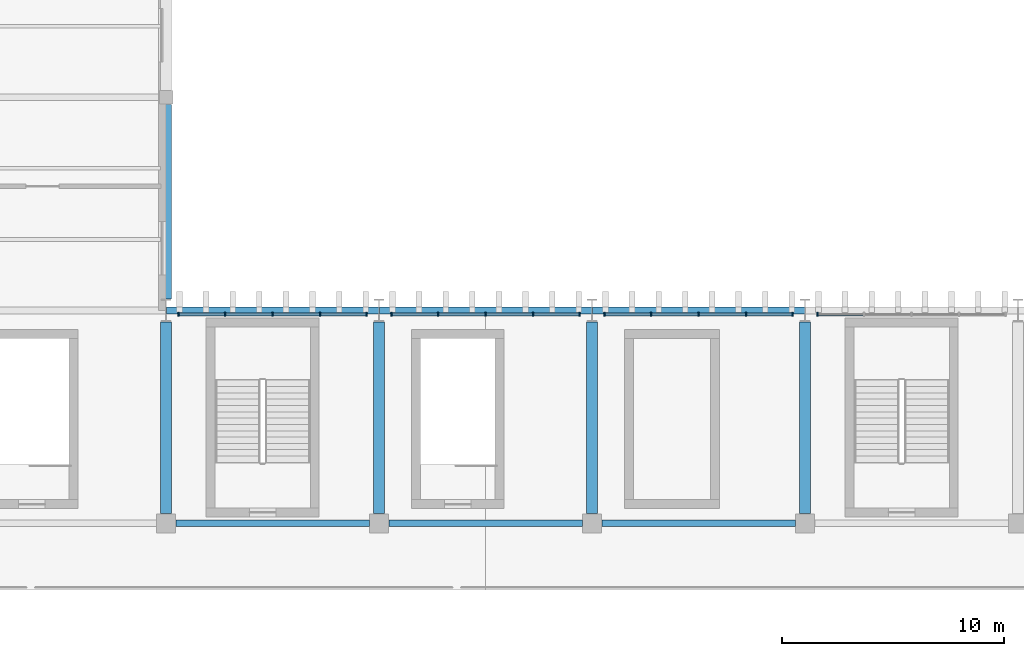
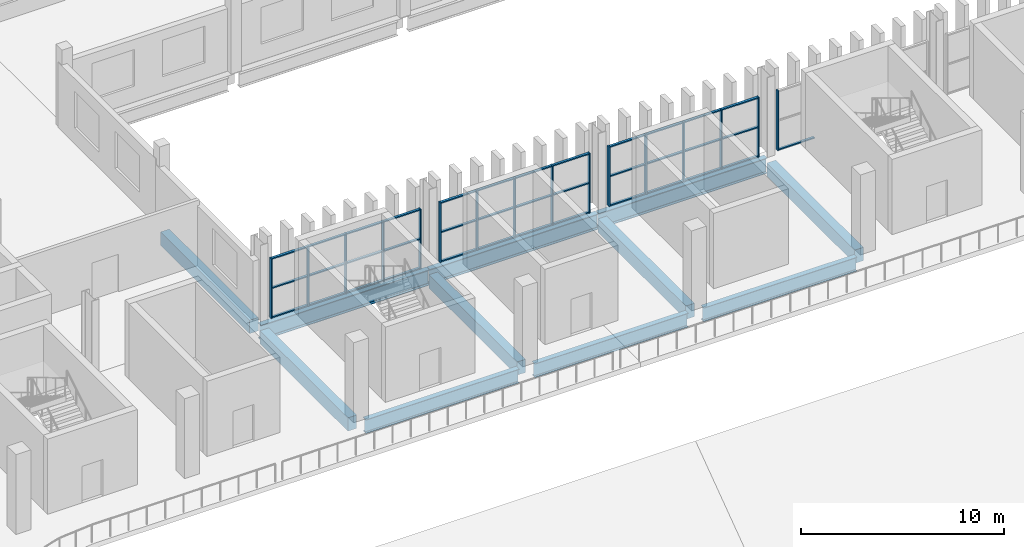
# One storey, part 34 of 99: 53 members, 11 beams, 4 elements without a shape of their own.
"""IFC4 building model written with IfcOpenShell, lengths in metres."""

from ifc_helpers import new_model, si_unit, direction, frame, origin, origin_2d, place, context, subcontext, project, spatial, rectangle, i_section, extrude, material, layer, layer_set, material_profile, profile_set, type_object, element, aggregate, save


model = new_model("IFC4")

# Units and contexts
model_context = context("Model", 3, precision=1e-05, world=origin(), true_north=direction((0.0, 1.0)))
body_context = subcontext(model_context, "Body", "Model", "MODEL_VIEW")
ifc_project = project(units=[si_unit("LENGTHUNIT", "METRE"), si_unit("AREAUNIT", "SQUARE_METRE"), si_unit("VOLUMEUNIT", "CUBIC_METRE"), si_unit("PLANEANGLEUNIT", "RADIAN"), si_unit("MASSUNIT", "GRAM", prefix="KILO")], contexts=[model_context])

# Site, building, storey
site_placement = place(None, origin())
site = spatial("IfcSite", under=ifc_project, at=site_placement, CompositionType="ELEMENT")
building_placement = place(site_placement, origin())
building = spatial("IfcBuilding", under=site, at=building_placement, Name="Caelomonte Colonnade Arena", CompositionType="ELEMENT")
storey_placement = place(building_placement, frame((0.0, 0.0, 4.800048828125)))
storey = spatial("IfcBuildingStorey", under=building, at=storey_placement, Name="L01", CompositionType="ELEMENT", Elevation=4.800048828125)

# Curtain wall, member
ifc_material_1 = material(Name="Bronze anodised aluminium and low-E glazing", Category="aluminium")
ifc_layer = layer(ifc_material_1, 0.179931640625)
ifc_layer_set = layer_set([ifc_layer], Name="Bronze anodised aluminium and low-E glazing")
curtain_wall_type = type_object("IfcCurtainWallType", Name="ENV-CW-CW-L01-96-36", PredefinedType="USERDEFINED", material=ifc_layer_set)
curtain_wall_1_placement = place(storey_placement, origin())
curtain_wall_1 = element("IfcCurtainWall", 1, at=curtain_wall_1_placement, inside=storey, type_object=curtain_wall_type, Name="L01 unitized curtain wall CW-L01-1296-1150", ObjectType="UNITIZED CURTAIN WALL", PredefinedType="USERDEFINED")
ifc_material_2 = material(Name="Bronze anodised aluminium AA6063-T6", Category="aluminium")
ifc_material_profile_1 = material_profile(ifc_material_2, rectangle(XDim=0.070068359375, YDim=0.179931640625, at=origin_2d()), Name="CWM-70X180")
ifc_profile_set_1 = profile_set([ifc_material_profile_1], Name="Bronze anodised aluminium AA6063-T6")
member_type_1 = type_object("IfcMemberType", Name="ENV-CW-MULL1", PredefinedType="MULLION", material=ifc_profile_set_1)
member_1_placement = place(storey_placement, frame((125.360595703125, 115.02001953125, 0.0), z_axis=(0.0, 0.0, 1.0), x_axis=(-1.0, 0.0, 0.0)))
member_1 = element("IfcMember", 2, at=member_1_placement, type_object=member_type_1, Name="CW-L01-96-36 mullion 5", PredefinedType="MULLION", context=body_context, shape_type="SweptSolid", body=[
    extrude(rectangle(XDim=0.070068359375, YDim=0.179931640625, at=origin_2d()), origin(), (0.0, 0.0, 1.0), 3.593017578125),
])

# Curtain wall, members
curtain_wall_2_placement = place(storey_placement, origin())
curtain_wall_2 = element("IfcCurtainWall", 3, at=curtain_wall_2_placement, inside=storey, type_object=curtain_wall_type, Name="L01 unitized curtain wall CW-L01-1200-1150", ObjectType="UNITIZED CURTAIN WALL", PredefinedType="USERDEFINED")
member_2_placement = place(storey_placement, frame((124.239501953125, 115.02001953125, 0.0), z_axis=(0.0, 0.0, 1.0), x_axis=(-1.0, 0.0, 0.0)))
member_2 = element("IfcMember", 4, at=member_2_placement, type_object=member_type_1, Name="CW-L01-96-36 mullion 1", PredefinedType="MULLION", context=body_context, shape_type="SweptSolid", body=[
    extrude(rectangle(XDim=0.070068359375, YDim=0.179931640625, at=origin_2d()), origin(), (0.0, 0.0, 1.0), 3.593017578125),
])
member_3_placement = place(storey_placement, frame((122.13720703125, 115.02001953125, 0.0), z_axis=(0.0, 0.0, 1.0), x_axis=(-1.0, 0.0, 0.0)))
member_3 = element("IfcMember", 5, at=member_3_placement, type_object=member_type_1, Name="CW-L01-96-36 mullion 2", PredefinedType="MULLION", context=body_context, shape_type="SweptSolid", body=[
    extrude(rectangle(XDim=0.070068359375, YDim=0.179931640625, at=origin_2d()), origin(), (0.0, 0.0, 1.0), 3.593017578125),
])
member_4_placement = place(storey_placement, frame((120.0, 115.02001953125, 0.0), z_axis=(0.0, 0.0, 1.0), x_axis=(-1.0, 0.0, 0.0)))
member_4 = element("IfcMember", 6, at=member_4_placement, type_object=member_type_1, Name="CW-L01-96-36 mullion 3", PredefinedType="MULLION", context=body_context, shape_type="SweptSolid", body=[
    extrude(rectangle(XDim=0.070068359375, YDim=0.179931640625, at=origin_2d()), origin(), (0.0, 0.0, 1.0), 3.593017578125),
])
member_5_placement = place(storey_placement, frame((117.86279296875, 115.02001953125, 0.0), z_axis=(0.0, 0.0, 1.0), x_axis=(-1.0, 0.0, 0.0)))
member_5 = element("IfcMember", 7, at=member_5_placement, type_object=member_type_1, Name="CW-L01-96-36 mullion 4", PredefinedType="MULLION", context=body_context, shape_type="SweptSolid", body=[
    extrude(rectangle(XDim=0.070068359375, YDim=0.179931640625, at=origin_2d()), origin(), (0.0, 0.0, 1.0), 3.593017578125),
])
member_6_placement = place(storey_placement, frame((115.760498046875, 115.02001953125, 0.0), z_axis=(0.0, 0.0, 1.0), x_axis=(-1.0, 0.0, 0.0)))
member_6 = element("IfcMember", 8, at=member_6_placement, type_object=member_type_1, Name="CW-L01-96-36 mullion 5", PredefinedType="MULLION", context=body_context, shape_type="SweptSolid", body=[
    extrude(rectangle(XDim=0.070068359375, YDim=0.179931640625, at=origin_2d()), origin(), (0.0, 0.0, 1.0), 3.593017578125),
])

curtain_wall_3_placement = place(storey_placement, origin())
curtain_wall_3 = element("IfcCurtainWall", 9, at=curtain_wall_3_placement, inside=storey, type_object=curtain_wall_type, Name="L01 unitized curtain wall CW-L01-1104-1150", ObjectType="UNITIZED CURTAIN WALL", PredefinedType="USERDEFINED")
member_7_placement = place(storey_placement, frame((114.639404296875, 115.02001953125, 0.0), z_axis=(0.0, 0.0, 1.0), x_axis=(-1.0, 0.0, 0.0)))
member_7 = element("IfcMember", 10, at=member_7_placement, type_object=member_type_1, Name="CW-L01-96-36 mullion 1", PredefinedType="MULLION", context=body_context, shape_type="SweptSolid", body=[
    extrude(rectangle(XDim=0.070068359375, YDim=0.179931640625, at=origin_2d()), origin(), (0.0, 0.0, 1.0), 3.593017578125),
])
member_8_placement = place(storey_placement, frame((112.537353515625, 115.02001953125, 0.0), z_axis=(0.0, 0.0, 1.0), x_axis=(-1.0, 0.0, 0.0)))
member_8 = element("IfcMember", 11, at=member_8_placement, type_object=member_type_1, Name="CW-L01-96-36 mullion 2", PredefinedType="MULLION", context=body_context, shape_type="SweptSolid", body=[
    extrude(rectangle(XDim=0.070068359375, YDim=0.179931640625, at=origin_2d()), origin(), (0.0, 0.0, 1.0), 3.593017578125),
])
member_9_placement = place(storey_placement, frame((110.39990234375, 115.02001953125, 0.0), z_axis=(0.0, 0.0, 1.0), x_axis=(-1.0, 0.0, 0.0)))
member_9 = element("IfcMember", 12, at=member_9_placement, type_object=member_type_1, Name="CW-L01-96-36 mullion 3", PredefinedType="MULLION", context=body_context, shape_type="SweptSolid", body=[
    extrude(rectangle(XDim=0.070068359375, YDim=0.179931640625, at=origin_2d()), origin(), (0.0, 0.0, 1.0), 3.593017578125),
])
member_10_placement = place(storey_placement, frame((108.2626953125, 115.02001953125, 0.0), z_axis=(0.0, 0.0, 1.0), x_axis=(-1.0, 0.0, 0.0)))
member_10 = element("IfcMember", 13, at=member_10_placement, type_object=member_type_1, Name="CW-L01-96-36 mullion 4", PredefinedType="MULLION", context=body_context, shape_type="SweptSolid", body=[
    extrude(rectangle(XDim=0.070068359375, YDim=0.179931640625, at=origin_2d()), origin(), (0.0, 0.0, 1.0), 3.593017578125),
])
member_11_placement = place(storey_placement, frame((106.160400390625, 115.02001953125, 0.0), z_axis=(0.0, 0.0, 1.0), x_axis=(-1.0, 0.0, 0.0)))
member_11 = element("IfcMember", 14, at=member_11_placement, type_object=member_type_1, Name="CW-L01-96-36 mullion 5", PredefinedType="MULLION", context=body_context, shape_type="SweptSolid", body=[
    extrude(rectangle(XDim=0.070068359375, YDim=0.179931640625, at=origin_2d()), origin(), (0.0, 0.0, 1.0), 3.593017578125),
])

curtain_wall_4_placement = place(storey_placement, origin())
curtain_wall_4 = element("IfcCurtainWall", 15, at=curtain_wall_4_placement, inside=storey, type_object=curtain_wall_type, Name="L01 unitized curtain wall CW-L01-1008-1150", ObjectType="UNITIZED CURTAIN WALL", PredefinedType="USERDEFINED")
member_12_placement = place(storey_placement, frame((105.03955078125, 115.02001953125, 0.0), z_axis=(0.0, 0.0, 1.0), x_axis=(-1.0, 0.0, 0.0)))
member_12 = element("IfcMember", 16, at=member_12_placement, type_object=member_type_1, Name="CW-L01-96-36 mullion 1", PredefinedType="MULLION", context=body_context, shape_type="SweptSolid", body=[
    extrude(rectangle(XDim=0.070068359375, YDim=0.179931640625, at=origin_2d()), origin(), (0.0, 0.0, 1.0), 3.593017578125),
])
member_13_placement = place(storey_placement, frame((102.937255859375, 115.02001953125, 0.0), z_axis=(0.0, 0.0, 1.0), x_axis=(-1.0, 0.0, 0.0)))
member_13 = element("IfcMember", 17, at=member_13_placement, type_object=member_type_1, Name="CW-L01-96-36 mullion 2", PredefinedType="MULLION", context=body_context, shape_type="SweptSolid", body=[
    extrude(rectangle(XDim=0.070068359375, YDim=0.179931640625, at=origin_2d()), origin(), (0.0, 0.0, 1.0), 3.593017578125),
])
member_14_placement = place(storey_placement, frame((100.800048828125, 115.02001953125, 0.0), z_axis=(0.0, 0.0, 1.0), x_axis=(-1.0, 0.0, 0.0)))
member_14 = element("IfcMember", 18, at=member_14_placement, type_object=member_type_1, Name="CW-L01-96-36 mullion 3", PredefinedType="MULLION", context=body_context, shape_type="SweptSolid", body=[
    extrude(rectangle(XDim=0.070068359375, YDim=0.179931640625, at=origin_2d()), origin(), (0.0, 0.0, 1.0), 3.593017578125),
])
member_15_placement = place(storey_placement, frame((98.662841796875, 115.02001953125, 0.0), z_axis=(0.0, 0.0, 1.0), x_axis=(-1.0, 0.0, 0.0)))
member_15 = element("IfcMember", 19, at=member_15_placement, type_object=member_type_1, Name="CW-L01-96-36 mullion 4", PredefinedType="MULLION", context=body_context, shape_type="SweptSolid", body=[
    extrude(rectangle(XDim=0.070068359375, YDim=0.179931640625, at=origin_2d()), origin(), (0.0, 0.0, 1.0), 3.593017578125),
])
member_16_placement = place(storey_placement, frame((96.560546875, 115.02001953125, 0.0), z_axis=(0.0, 0.0, 1.0), x_axis=(-1.0, 0.0, 0.0)))
member_16 = element("IfcMember", 20, at=member_16_placement, type_object=member_type_1, Name="CW-L01-96-36 mullion 5", PredefinedType="MULLION", context=body_context, shape_type="SweptSolid", body=[
    extrude(rectangle(XDim=0.070068359375, YDim=0.179931640625, at=origin_2d()), origin(), (0.0, 0.0, 1.0), 3.593017578125),
])

# Member
ifc_material_profile_2 = material_profile(ifc_material_2, rectangle(XDim=0.070068359375, YDim=0.139892578125, at=origin_2d()), Name="CWT-70X140")
ifc_profile_set_2 = profile_set([ifc_material_profile_2], Name="Bronze anodised aluminium AA6063-T6")
member_type_2 = type_object("IfcMemberType", Name="ENV-CW-TRAN1", PredefinedType="USERDEFINED", material=ifc_profile_set_2)
member_17_placement = place(storey_placement, frame((127.427734375, 115.02001953125, 0.034912109375), z_axis=(-1.0, 0.0, 0.0), x_axis=(0.0, 0.0, 1.0)))
member_17 = element("IfcMember", 21, at=member_17_placement, type_object=member_type_2, Name="CW-L01-96-36 transom 4.1", ObjectType="TRANSOM", PredefinedType="USERDEFINED", context=body_context, shape_type="SweptSolid", body=[
    extrude(rectangle(XDim=0.070068359375, YDim=0.139892578125, at=origin_2d()), origin(), (0.0, 0.0, 1.0), 2.0322265625),
])

aggregate(curtain_wall_1, [member_1, member_17])

member_18_placement = place(storey_placement, frame((124.20458984375, 115.02001953125, 0.034912109375), z_axis=(-1.0, 0.0, 0.0), x_axis=(0.0, 0.0, 1.0)))
member_18 = element("IfcMember", 22, at=member_18_placement, type_object=member_type_2, Name="CW-L01-96-36 transom 1.1", ObjectType="TRANSOM", PredefinedType="USERDEFINED", context=body_context, shape_type="SweptSolid", body=[
    extrude(rectangle(XDim=0.070068359375, YDim=0.139892578125, at=origin_2d()), origin(), (0.0, 0.0, 1.0), 2.0322265625),
])

member_19_placement = place(storey_placement, frame((124.20458984375, 115.02001953125, 1.79638671875), z_axis=(-1.0, 0.0, 0.0), x_axis=(0.0, 0.0, 1.0)))
member_19 = element("IfcMember", 23, at=member_19_placement, type_object=member_type_2, Name="CW-L01-96-36 transom 1.2", ObjectType="TRANSOM", PredefinedType="USERDEFINED", context=body_context, shape_type="SweptSolid", body=[
    extrude(rectangle(XDim=0.070068359375, YDim=0.139892578125, at=origin_2d()), origin(), (0.0, 0.0, 1.0), 2.0322265625),
])

member_20_placement = place(storey_placement, frame((124.20458984375, 115.02001953125, 3.557861328125), z_axis=(-1.0, 0.0, 0.0), x_axis=(0.0, 0.0, 1.0)))
member_20 = element("IfcMember", 24, at=member_20_placement, type_object=member_type_2, Name="CW-L01-96-36 transom 1.3", ObjectType="TRANSOM", PredefinedType="USERDEFINED", context=body_context, shape_type="SweptSolid", body=[
    extrude(rectangle(XDim=0.070068359375, YDim=0.139892578125, at=origin_2d()), origin(), (0.0, 0.0, 1.0), 2.0322265625),
])

member_21_placement = place(storey_placement, frame((122.102294921875, 115.02001953125, 0.034912109375), z_axis=(-1.0, 0.0, 0.0), x_axis=(0.0, 0.0, 1.0)))
member_21 = element("IfcMember", 25, at=member_21_placement, type_object=member_type_2, Name="CW-L01-96-36 transom 2.1", ObjectType="TRANSOM", PredefinedType="USERDEFINED", context=body_context, shape_type="SweptSolid", body=[
    extrude(rectangle(XDim=0.070068359375, YDim=0.139892578125, at=origin_2d()), origin(), (0.0, 0.0, 1.0), 2.0673828125),
])

member_22_placement = place(storey_placement, frame((122.102294921875, 115.02001953125, 1.79638671875), z_axis=(-1.0, 0.0, 0.0), x_axis=(0.0, 0.0, 1.0)))
member_22 = element("IfcMember", 26, at=member_22_placement, type_object=member_type_2, Name="CW-L01-96-36 transom 2.2", ObjectType="TRANSOM", PredefinedType="USERDEFINED", context=body_context, shape_type="SweptSolid", body=[
    extrude(rectangle(XDim=0.070068359375, YDim=0.139892578125, at=origin_2d()), origin(), (0.0, 0.0, 1.0), 2.0673828125),
])

member_23_placement = place(storey_placement, frame((122.102294921875, 115.02001953125, 3.557861328125), z_axis=(-1.0, 0.0, 0.0), x_axis=(0.0, 0.0, 1.0)))
member_23 = element("IfcMember", 27, at=member_23_placement, type_object=member_type_2, Name="CW-L01-96-36 transom 2.3", ObjectType="TRANSOM", PredefinedType="USERDEFINED", context=body_context, shape_type="SweptSolid", body=[
    extrude(rectangle(XDim=0.070068359375, YDim=0.139892578125, at=origin_2d()), origin(), (0.0, 0.0, 1.0), 2.0673828125),
])

member_24_placement = place(storey_placement, frame((119.965087890625, 115.02001953125, 0.034912109375), z_axis=(-1.0, 0.0, 0.0), x_axis=(0.0, 0.0, 1.0)))
member_24 = element("IfcMember", 28, at=member_24_placement, type_object=member_type_2, Name="CW-L01-96-36 transom 3.1", ObjectType="TRANSOM", PredefinedType="USERDEFINED", context=body_context, shape_type="SweptSolid", body=[
    extrude(rectangle(XDim=0.070068359375, YDim=0.139892578125, at=origin_2d()), origin(), (0.0, 0.0, 1.0), 2.0673828125),
])

member_25_placement = place(storey_placement, frame((119.965087890625, 115.02001953125, 1.79638671875), z_axis=(-1.0, 0.0, 0.0), x_axis=(0.0, 0.0, 1.0)))
member_25 = element("IfcMember", 29, at=member_25_placement, type_object=member_type_2, Name="CW-L01-96-36 transom 3.2", ObjectType="TRANSOM", PredefinedType="USERDEFINED", context=body_context, shape_type="SweptSolid", body=[
    extrude(rectangle(XDim=0.070068359375, YDim=0.139892578125, at=origin_2d()), origin(), (0.0, 0.0, 1.0), 2.0673828125),
])

member_26_placement = place(storey_placement, frame((119.965087890625, 115.02001953125, 3.557861328125), z_axis=(-1.0, 0.0, 0.0), x_axis=(0.0, 0.0, 1.0)))
member_26 = element("IfcMember", 30, at=member_26_placement, type_object=member_type_2, Name="CW-L01-96-36 transom 3.3", ObjectType="TRANSOM", PredefinedType="USERDEFINED", context=body_context, shape_type="SweptSolid", body=[
    extrude(rectangle(XDim=0.070068359375, YDim=0.139892578125, at=origin_2d()), origin(), (0.0, 0.0, 1.0), 2.0673828125),
])

member_27_placement = place(storey_placement, frame((117.82763671875, 115.02001953125, 0.034912109375), z_axis=(-1.0, 0.0, 0.0), x_axis=(0.0, 0.0, 1.0)))
member_27 = element("IfcMember", 31, at=member_27_placement, type_object=member_type_2, Name="CW-L01-96-36 transom 4.1", ObjectType="TRANSOM", PredefinedType="USERDEFINED", context=body_context, shape_type="SweptSolid", body=[
    extrude(rectangle(XDim=0.070068359375, YDim=0.139892578125, at=origin_2d()), origin(), (0.0, 0.0, 1.0), 2.0322265625),
])

member_28_placement = place(storey_placement, frame((117.82763671875, 115.02001953125, 1.79638671875), z_axis=(-1.0, 0.0, 0.0), x_axis=(0.0, 0.0, 1.0)))
member_28 = element("IfcMember", 32, at=member_28_placement, type_object=member_type_2, Name="CW-L01-96-36 transom 4.2", ObjectType="TRANSOM", PredefinedType="USERDEFINED", context=body_context, shape_type="SweptSolid", body=[
    extrude(rectangle(XDim=0.070068359375, YDim=0.139892578125, at=origin_2d()), origin(), (0.0, 0.0, 1.0), 2.0322265625),
])

member_29_placement = place(storey_placement, frame((117.82763671875, 115.02001953125, 3.557861328125), z_axis=(-1.0, 0.0, 0.0), x_axis=(0.0, 0.0, 1.0)))
member_29 = element("IfcMember", 33, at=member_29_placement, type_object=member_type_2, Name="CW-L01-96-36 transom 4.3", ObjectType="TRANSOM", PredefinedType="USERDEFINED", context=body_context, shape_type="SweptSolid", body=[
    extrude(rectangle(XDim=0.070068359375, YDim=0.139892578125, at=origin_2d()), origin(), (0.0, 0.0, 1.0), 2.0322265625),
])

aggregate(curtain_wall_2, [member_2, member_3, member_4, member_5, member_6, member_18, member_19, member_20, member_21, member_22, member_23, member_24, member_25, member_26, member_27, member_28, member_29])

member_30_placement = place(storey_placement, frame((114.6044921875, 115.02001953125, 0.034912109375), z_axis=(-1.0, 0.0, 0.0), x_axis=(0.0, 0.0, 1.0)))
member_30 = element("IfcMember", 34, at=member_30_placement, type_object=member_type_2, Name="CW-L01-96-36 transom 1.1", ObjectType="TRANSOM", PredefinedType="USERDEFINED", context=body_context, shape_type="SweptSolid", body=[
    extrude(rectangle(XDim=0.070068359375, YDim=0.139892578125, at=origin_2d()), origin(), (0.0, 0.0, 1.0), 2.0322265625),
])

member_31_placement = place(storey_placement, frame((114.6044921875, 115.02001953125, 1.79638671875), z_axis=(-1.0, 0.0, 0.0), x_axis=(0.0, 0.0, 1.0)))
member_31 = element("IfcMember", 35, at=member_31_placement, type_object=member_type_2, Name="CW-L01-96-36 transom 1.2", ObjectType="TRANSOM", PredefinedType="USERDEFINED", context=body_context, shape_type="SweptSolid", body=[
    extrude(rectangle(XDim=0.070068359375, YDim=0.139892578125, at=origin_2d()), origin(), (0.0, 0.0, 1.0), 2.0322265625),
])

member_32_placement = place(storey_placement, frame((114.6044921875, 115.02001953125, 3.557861328125), z_axis=(-1.0, 0.0, 0.0), x_axis=(0.0, 0.0, 1.0)))
member_32 = element("IfcMember", 36, at=member_32_placement, type_object=member_type_2, Name="CW-L01-96-36 transom 1.3", ObjectType="TRANSOM", PredefinedType="USERDEFINED", context=body_context, shape_type="SweptSolid", body=[
    extrude(rectangle(XDim=0.070068359375, YDim=0.139892578125, at=origin_2d()), origin(), (0.0, 0.0, 1.0), 2.0322265625),
])

member_33_placement = place(storey_placement, frame((112.502197265625, 115.02001953125, 0.034912109375), z_axis=(-1.0, 0.0, 0.0), x_axis=(0.0, 0.0, 1.0)))
member_33 = element("IfcMember", 37, at=member_33_placement, type_object=member_type_2, Name="CW-L01-96-36 transom 2.1", ObjectType="TRANSOM", PredefinedType="USERDEFINED", context=body_context, shape_type="SweptSolid", body=[
    extrude(rectangle(XDim=0.070068359375, YDim=0.139892578125, at=origin_2d()), origin(), (0.0, 0.0, 1.0), 2.067138671875),
])

member_34_placement = place(storey_placement, frame((112.502197265625, 115.02001953125, 1.79638671875), z_axis=(-1.0, 0.0, 0.0), x_axis=(0.0, 0.0, 1.0)))
member_34 = element("IfcMember", 38, at=member_34_placement, type_object=member_type_2, Name="CW-L01-96-36 transom 2.2", ObjectType="TRANSOM", PredefinedType="USERDEFINED", context=body_context, shape_type="SweptSolid", body=[
    extrude(rectangle(XDim=0.070068359375, YDim=0.139892578125, at=origin_2d()), origin(), (0.0, 0.0, 1.0), 2.067138671875),
])

member_35_placement = place(storey_placement, frame((112.502197265625, 115.02001953125, 3.557861328125), z_axis=(-1.0, 0.0, 0.0), x_axis=(0.0, 0.0, 1.0)))
member_35 = element("IfcMember", 39, at=member_35_placement, type_object=member_type_2, Name="CW-L01-96-36 transom 2.3", ObjectType="TRANSOM", PredefinedType="USERDEFINED", context=body_context, shape_type="SweptSolid", body=[
    extrude(rectangle(XDim=0.070068359375, YDim=0.139892578125, at=origin_2d()), origin(), (0.0, 0.0, 1.0), 2.067138671875),
])

member_36_placement = place(storey_placement, frame((110.364990234375, 115.02001953125, 0.034912109375), z_axis=(-1.0, 0.0, 0.0), x_axis=(0.0, 0.0, 1.0)))
member_36 = element("IfcMember", 40, at=member_36_placement, type_object=member_type_2, Name="CW-L01-96-36 transom 3.1", ObjectType="TRANSOM", PredefinedType="USERDEFINED", context=body_context, shape_type="SweptSolid", body=[
    extrude(rectangle(XDim=0.070068359375, YDim=0.139892578125, at=origin_2d()), origin(), (0.0, 0.0, 1.0), 2.067138671875),
])

member_37_placement = place(storey_placement, frame((110.364990234375, 115.02001953125, 1.79638671875), z_axis=(-1.0, 0.0, 0.0), x_axis=(0.0, 0.0, 1.0)))
member_37 = element("IfcMember", 41, at=member_37_placement, type_object=member_type_2, Name="CW-L01-96-36 transom 3.2", ObjectType="TRANSOM", PredefinedType="USERDEFINED", context=body_context, shape_type="SweptSolid", body=[
    extrude(rectangle(XDim=0.070068359375, YDim=0.139892578125, at=origin_2d()), origin(), (0.0, 0.0, 1.0), 2.067138671875),
])

member_38_placement = place(storey_placement, frame((110.364990234375, 115.02001953125, 3.557861328125), z_axis=(-1.0, 0.0, 0.0), x_axis=(0.0, 0.0, 1.0)))
member_38 = element("IfcMember", 42, at=member_38_placement, type_object=member_type_2, Name="CW-L01-96-36 transom 3.3", ObjectType="TRANSOM", PredefinedType="USERDEFINED", context=body_context, shape_type="SweptSolid", body=[
    extrude(rectangle(XDim=0.070068359375, YDim=0.139892578125, at=origin_2d()), origin(), (0.0, 0.0, 1.0), 2.067138671875),
])

member_39_placement = place(storey_placement, frame((108.227783203125, 115.02001953125, 0.034912109375), z_axis=(-1.0, 0.0, 0.0), x_axis=(0.0, 0.0, 1.0)))
member_39 = element("IfcMember", 43, at=member_39_placement, type_object=member_type_2, Name="CW-L01-96-36 transom 4.1", ObjectType="TRANSOM", PredefinedType="USERDEFINED", context=body_context, shape_type="SweptSolid", body=[
    extrude(rectangle(XDim=0.070068359375, YDim=0.139892578125, at=origin_2d()), origin(), (0.0, 0.0, 1.0), 2.0322265625),
])

member_40_placement = place(storey_placement, frame((108.227783203125, 115.02001953125, 1.79638671875), z_axis=(-1.0, 0.0, 0.0), x_axis=(0.0, 0.0, 1.0)))
member_40 = element("IfcMember", 44, at=member_40_placement, type_object=member_type_2, Name="CW-L01-96-36 transom 4.2", ObjectType="TRANSOM", PredefinedType="USERDEFINED", context=body_context, shape_type="SweptSolid", body=[
    extrude(rectangle(XDim=0.070068359375, YDim=0.139892578125, at=origin_2d()), origin(), (0.0, 0.0, 1.0), 2.0322265625),
])

member_41_placement = place(storey_placement, frame((108.227783203125, 115.02001953125, 3.557861328125), z_axis=(-1.0, 0.0, 0.0), x_axis=(0.0, 0.0, 1.0)))
member_41 = element("IfcMember", 45, at=member_41_placement, type_object=member_type_2, Name="CW-L01-96-36 transom 4.3", ObjectType="TRANSOM", PredefinedType="USERDEFINED", context=body_context, shape_type="SweptSolid", body=[
    extrude(rectangle(XDim=0.070068359375, YDim=0.139892578125, at=origin_2d()), origin(), (0.0, 0.0, 1.0), 2.0322265625),
])

aggregate(curtain_wall_3, [member_7, member_8, member_9, member_10, member_11, member_30, member_31, member_32, member_33, member_34, member_35, member_36, member_37, member_38, member_39, member_40, member_41])

member_42_placement = place(storey_placement, frame((105.00439453125, 115.02001953125, 0.034912109375), z_axis=(-1.0, 0.0, 0.0), x_axis=(0.0, 0.0, 1.0)))
member_42 = element("IfcMember", 46, at=member_42_placement, type_object=member_type_2, Name="CW-L01-96-36 transom 1.1", ObjectType="TRANSOM", PredefinedType="USERDEFINED", context=body_context, shape_type="SweptSolid", body=[
    extrude(rectangle(XDim=0.070068359375, YDim=0.139892578125, at=origin_2d()), origin(), (0.0, 0.0, 1.0), 2.0322265625),
])

member_43_placement = place(storey_placement, frame((105.00439453125, 115.02001953125, 1.79638671875), z_axis=(-1.0, 0.0, 0.0), x_axis=(0.0, 0.0, 1.0)))
member_43 = element("IfcMember", 47, at=member_43_placement, type_object=member_type_2, Name="CW-L01-96-36 transom 1.2", ObjectType="TRANSOM", PredefinedType="USERDEFINED", context=body_context, shape_type="SweptSolid", body=[
    extrude(rectangle(XDim=0.070068359375, YDim=0.139892578125, at=origin_2d()), origin(), (0.0, 0.0, 1.0), 2.0322265625),
])

member_44_placement = place(storey_placement, frame((105.00439453125, 115.02001953125, 3.557861328125), z_axis=(-1.0, 0.0, 0.0), x_axis=(0.0, 0.0, 1.0)))
member_44 = element("IfcMember", 48, at=member_44_placement, type_object=member_type_2, Name="CW-L01-96-36 transom 1.3", ObjectType="TRANSOM", PredefinedType="USERDEFINED", context=body_context, shape_type="SweptSolid", body=[
    extrude(rectangle(XDim=0.070068359375, YDim=0.139892578125, at=origin_2d()), origin(), (0.0, 0.0, 1.0), 2.0322265625),
])

member_45_placement = place(storey_placement, frame((102.90234375, 115.02001953125, 0.034912109375), z_axis=(-1.0, 0.0, 0.0), x_axis=(0.0, 0.0, 1.0)))
member_45 = element("IfcMember", 49, at=member_45_placement, type_object=member_type_2, Name="CW-L01-96-36 transom 2.1", ObjectType="TRANSOM", PredefinedType="USERDEFINED", context=body_context, shape_type="SweptSolid", body=[
    extrude(rectangle(XDim=0.070068359375, YDim=0.139892578125, at=origin_2d()), origin(), (0.0, 0.0, 1.0), 2.0673828125),
])

member_46_placement = place(storey_placement, frame((102.90234375, 115.02001953125, 1.79638671875), z_axis=(-1.0, 0.0, 0.0), x_axis=(0.0, 0.0, 1.0)))
member_46 = element("IfcMember", 50, at=member_46_placement, type_object=member_type_2, Name="CW-L01-96-36 transom 2.2", ObjectType="TRANSOM", PredefinedType="USERDEFINED", context=body_context, shape_type="SweptSolid", body=[
    extrude(rectangle(XDim=0.070068359375, YDim=0.139892578125, at=origin_2d()), origin(), (0.0, 0.0, 1.0), 2.0673828125),
])

member_47_placement = place(storey_placement, frame((102.90234375, 115.02001953125, 3.557861328125), z_axis=(-1.0, 0.0, 0.0), x_axis=(0.0, 0.0, 1.0)))
member_47 = element("IfcMember", 51, at=member_47_placement, type_object=member_type_2, Name="CW-L01-96-36 transom 2.3", ObjectType="TRANSOM", PredefinedType="USERDEFINED", context=body_context, shape_type="SweptSolid", body=[
    extrude(rectangle(XDim=0.070068359375, YDim=0.139892578125, at=origin_2d()), origin(), (0.0, 0.0, 1.0), 2.0673828125),
])

member_48_placement = place(storey_placement, frame((100.764892578125, 115.02001953125, 0.034912109375), z_axis=(-1.0, 0.0, 0.0), x_axis=(0.0, 0.0, 1.0)))
member_48 = element("IfcMember", 52, at=member_48_placement, type_object=member_type_2, Name="CW-L01-96-36 transom 3.1", ObjectType="TRANSOM", PredefinedType="USERDEFINED", context=body_context, shape_type="SweptSolid", body=[
    extrude(rectangle(XDim=0.070068359375, YDim=0.139892578125, at=origin_2d()), origin(), (0.0, 0.0, 1.0), 2.067138671875),
])

member_49_placement = place(storey_placement, frame((100.764892578125, 115.02001953125, 1.79638671875), z_axis=(-1.0, 0.0, 0.0), x_axis=(0.0, 0.0, 1.0)))
member_49 = element("IfcMember", 53, at=member_49_placement, type_object=member_type_2, Name="CW-L01-96-36 transom 3.2", ObjectType="TRANSOM", PredefinedType="USERDEFINED", context=body_context, shape_type="SweptSolid", body=[
    extrude(rectangle(XDim=0.070068359375, YDim=0.139892578125, at=origin_2d()), origin(), (0.0, 0.0, 1.0), 2.067138671875),
])

member_50_placement = place(storey_placement, frame((100.764892578125, 115.02001953125, 3.557861328125), z_axis=(-1.0, 0.0, 0.0), x_axis=(0.0, 0.0, 1.0)))
member_50 = element("IfcMember", 54, at=member_50_placement, type_object=member_type_2, Name="CW-L01-96-36 transom 3.3", ObjectType="TRANSOM", PredefinedType="USERDEFINED", context=body_context, shape_type="SweptSolid", body=[
    extrude(rectangle(XDim=0.070068359375, YDim=0.139892578125, at=origin_2d()), origin(), (0.0, 0.0, 1.0), 2.067138671875),
])

member_51_placement = place(storey_placement, frame((98.627685546875, 115.02001953125, 0.034912109375), z_axis=(-1.0, 0.0, 0.0), x_axis=(0.0, 0.0, 1.0)))
member_51 = element("IfcMember", 55, at=member_51_placement, type_object=member_type_2, Name="CW-L01-96-36 transom 4.1", ObjectType="TRANSOM", PredefinedType="USERDEFINED", context=body_context, shape_type="SweptSolid", body=[
    extrude(rectangle(XDim=0.070068359375, YDim=0.139892578125, at=origin_2d()), origin(), (0.0, 0.0, 1.0), 2.0322265625),
])

member_52_placement = place(storey_placement, frame((98.627685546875, 115.02001953125, 1.79638671875), z_axis=(-1.0, 0.0, 0.0), x_axis=(0.0, 0.0, 1.0)))
member_52 = element("IfcMember", 56, at=member_52_placement, type_object=member_type_2, Name="CW-L01-96-36 transom 4.2", ObjectType="TRANSOM", PredefinedType="USERDEFINED", context=body_context, shape_type="SweptSolid", body=[
    extrude(rectangle(XDim=0.070068359375, YDim=0.139892578125, at=origin_2d()), origin(), (0.0, 0.0, 1.0), 2.0322265625),
])

member_53_placement = place(storey_placement, frame((98.627685546875, 115.02001953125, 3.557861328125), z_axis=(-1.0, 0.0, 0.0), x_axis=(0.0, 0.0, 1.0)))
member_53 = element("IfcMember", 57, at=member_53_placement, type_object=member_type_2, Name="CW-L01-96-36 transom 4.3", ObjectType="TRANSOM", PredefinedType="USERDEFINED", context=body_context, shape_type="SweptSolid", body=[
    extrude(rectangle(XDim=0.070068359375, YDim=0.139892578125, at=origin_2d()), origin(), (0.0, 0.0, 1.0), 2.0322265625),
])

aggregate(curtain_wall_4, [member_12, member_13, member_14, member_15, member_16, member_42, member_43, member_44, member_45, member_46, member_47, member_48, member_49, member_50, member_51, member_52, member_53])

# Beams
ifc_material_3 = material(Name="Wide-flange steel ASTM A992 Grade 50", Category="steel")
ifc_material_profile_3 = material_profile(ifc_material_3, i_section(OverallWidth=0.307861328125, OverallDepth=0.927001953125, WebThickness=0.019287109375, FlangeThickness=0.031982421875, FilletRadius=0.020263671875, at=origin_2d()), Name="W36X194")
ifc_profile_set_3 = profile_set([ifc_material_profile_3], Name="Wide-flange steel ASTM A992 Grade 50")
beam_type_1 = type_object("IfcBeamType", Name="STR-BM-EAVES2", PredefinedType="SPANDREL", material=ifc_profile_set_3)
for number, where, z_axis, x_axis, name in (
    (58, (96.015380859375, 115.199951171875, -0.763427734375), (1.0, 0.0, 0.0), (0.0, 1.0, 0.0), "L01 girder BMX-L01-0960-1152"),
    (59, (105.615478515625, 115.199951171875, -0.763427734375), (1.0, 0.0, 0.0), (0.0, 1.0, 0.0), "L01 girder BMX-L01-1056-1152"),
):
    element("IfcBeam", number, at=place(storey_placement, frame(where, z_axis=z_axis, x_axis=x_axis)), inside=storey, type_object=beam_type_1, Name=name, PredefinedType="SPANDREL", context=body_context, shape_type="SweptSolid", body=[
        extrude(i_section(OverallWidth=0.307861328125, OverallDepth=0.927001953125, WebThickness=0.019287109375, FlangeThickness=0.031982421875, FilletRadius=0.020263671875, at=origin_2d()), origin(), (0.0, 0.0, 1.0), 9.569091796875),
    ])
beam_1_placement = place(storey_placement, frame((115.215576171875, 115.199951171875, -0.763427734375), z_axis=(1.0, 0.0, 0.0), x_axis=(0.0, 1.0, 0.0)))
element("IfcBeam", 60, at=beam_1_placement, inside=storey, type_object=beam_type_1, Name="L01 girder BMX-L01-1152-1152", PredefinedType="SPANDREL", context=body_context, shape_type="SweptSolid", body=[
    extrude(i_section(OverallWidth=0.307861328125, OverallDepth=0.927001953125, WebThickness=0.019287109375, FlangeThickness=0.031982421875, FilletRadius=0.020263671875, at=origin_2d()), origin(), (0.0, 0.0, 1.0), 9.56884765625),
])
ifc_material_profile_4 = material_profile(ifc_material_3, i_section(OverallWidth=0.2919921875, OverallDepth=0.835693359375, WebThickness=0.013916015625, FlangeThickness=0.018798828125, FilletRadius=0.017822265625, at=origin_2d()), Name="W33X118")
ifc_profile_set_4 = profile_set([ifc_material_profile_4], Name="Wide-flange steel ASTM A992 Grade 50")
beam_type_2 = type_object("IfcBeamType", Name="STR-BM-GIRD33B", PredefinedType="BEAM", material=ifc_profile_set_4)
for number, where, z_axis, x_axis, name in (
    (61, (96.44189453125, 105.60009765625, -0.7177734375), (1.0, 0.0, 0.0), (0.0, 1.0, 0.0), "L01 girder BMX-L01-0960-1056"),
    (62, (106.0419921875, 105.60009765625, -0.7177734375), (1.0, 0.0, 0.0), (0.0, 1.0, 0.0), "L01 girder BMX-L01-1056-1056"),
):
    element("IfcBeam", number, at=place(storey_placement, frame(where, z_axis=z_axis, x_axis=x_axis)), inside=storey, type_object=beam_type_2, Name=name, PredefinedType="BEAM", context=body_context, shape_type="SweptSolid", body=[
        extrude(i_section(OverallWidth=0.2919921875, OverallDepth=0.835693359375, WebThickness=0.013916015625, FlangeThickness=0.018798828125, FilletRadius=0.017822265625, at=origin_2d()), origin(), (0.0, 0.0, 1.0), 8.716064453125),
    ])
beam_2_placement = place(storey_placement, frame((115.64208984375, 105.60009765625, -0.7177734375), z_axis=(1.0, 0.0, 0.0), x_axis=(0.0, 1.0, 0.0)))
element("IfcBeam", 63, at=beam_2_placement, inside=storey, type_object=beam_type_2, Name="L01 girder BMX-L01-1152-1056", PredefinedType="BEAM", context=body_context, shape_type="SweptSolid", body=[
    extrude(i_section(OverallWidth=0.2919921875, OverallDepth=0.835693359375, WebThickness=0.013916015625, FlangeThickness=0.018798828125, FilletRadius=0.017822265625, at=origin_2d()), origin(), (0.0, 0.0, 1.0), 8.7158203125),
])
ifc_material_4 = material(Name="Concrete C40/50", Category="concrete")
ifc_material_profile_5 = material_profile(ifc_material_4, rectangle(XDim=0.5, YDim=0.800048828125, at=origin_2d()), Name="RC500X800")
ifc_profile_set_5 = profile_set([ifc_material_profile_5], Name="Concrete C40/50")
beam_type_3 = type_object("IfcBeamType", Name="STR-BM-RC50", PredefinedType="BEAM", material=ifc_profile_set_5)
beam_3_placement = place(storey_placement, frame((96.0, 106.0419921875, -0.699951171875), z_axis=(0.0, 1.0, 0.0), x_axis=(-1.0, 0.0, 0.0)))
element("IfcBeam", 64, at=beam_3_placement, inside=storey, type_object=beam_type_3, Name="L01 girder BMY-L01-0960-1056", PredefinedType="BEAM", context=body_context, shape_type="SweptSolid", body=[
    extrude(rectangle(XDim=0.5, YDim=0.800048828125, at=origin_2d()), origin(), (0.0, 0.0, 1.0), 8.645263671875),
])
beam_4_placement = place(storey_placement, frame((96.0, 115.712646484375, -0.699951171875), z_axis=(0.0, 1.0, 0.0), x_axis=(-1.0, 0.0, 0.0)))
element("IfcBeam", 65, at=beam_4_placement, inside=storey, type_object=beam_type_3, Name="L01 girder BMY-L01-0960-1152", PredefinedType="BEAM", context=body_context, shape_type="SweptSolid", body=[
    extrude(rectangle(XDim=0.5, YDim=0.800048828125, at=origin_2d()), origin(), (0.0, 0.0, 1.0), 8.770263671875),
])
for number, where, z_axis, x_axis, name in (
    (66, (105.60009765625, 106.0419921875, -0.699951171875), (0.0, 1.0, 0.0), (-1.0, 0.0, 0.0), "L01 girder BMY-L01-1056-1056"),
    (67, (115.199951171875, 106.0419921875, -0.699951171875), (0.0, 1.0, 0.0), (-1.0, 0.0, 0.0), "L01 girder BMY-L01-1152-1056"),
    (68, (124.800048828125, 106.0419921875, -0.699951171875), (0.0, 1.0, 0.0), (-1.0, 0.0, 0.0), "L01 girder BMY-L01-1248-1056"),
):
    element("IfcBeam", number, at=place(storey_placement, frame(where, z_axis=z_axis, x_axis=x_axis)), inside=storey, type_object=beam_type_3, Name=name, PredefinedType="BEAM", context=body_context, shape_type="SweptSolid", body=[
        extrude(rectangle(XDim=0.5, YDim=0.800048828125, at=origin_2d()), origin(), (0.0, 0.0, 1.0), 8.645263671875),
    ])

save(model, "model.ifc")
